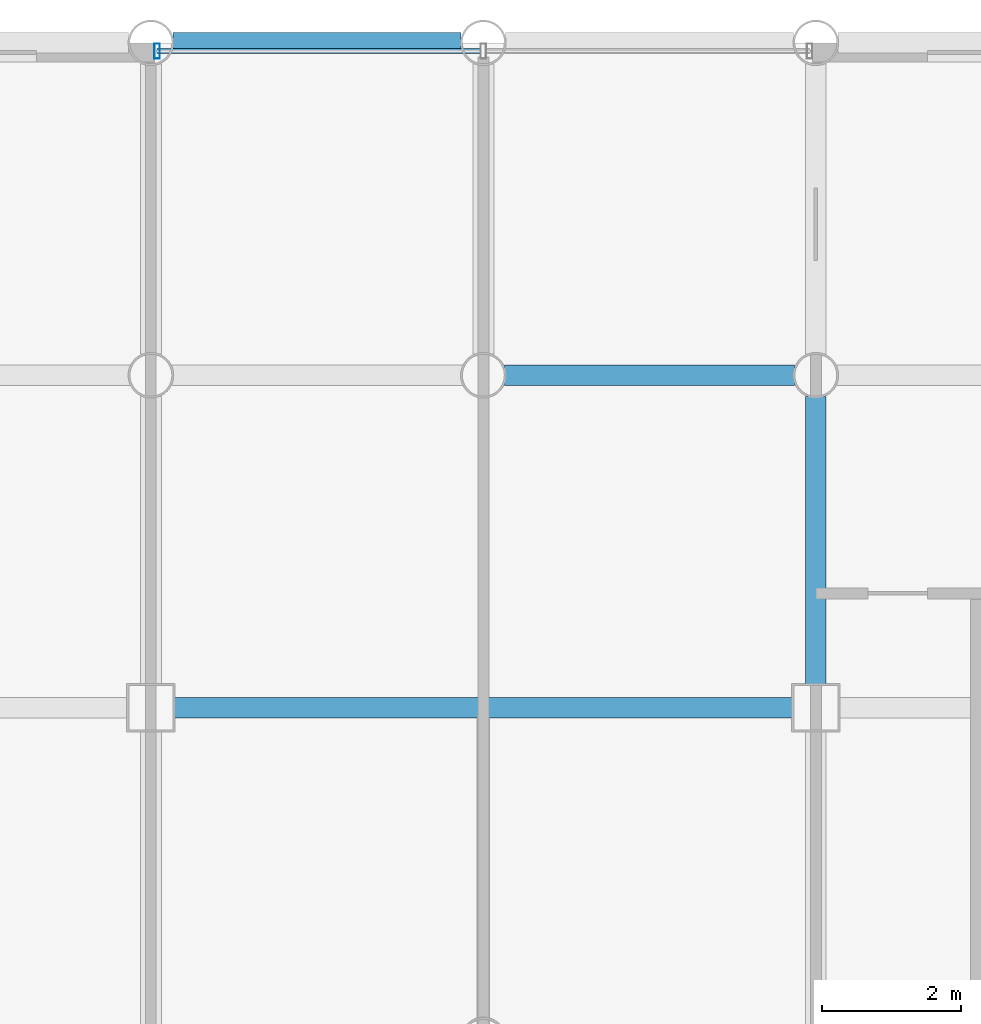
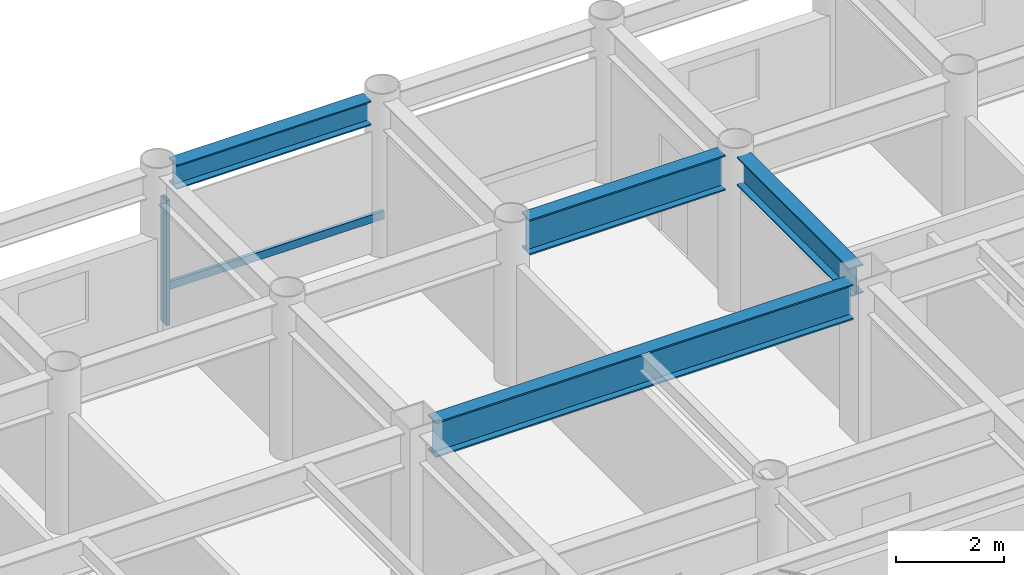
# One storey, part 12 of 20: 4 beams, 2 members, 1 element without a shape of its own.
"""IFC4 building model written with IfcOpenShell, lengths in metres."""

import ifcopenshell
import ifcopenshell.guid

model = None  # the IFC model being written
_history = None  # IfcOwnerHistory: only IFC2X3 demands one
_inside = {}  # id of a spatial element -> (the spatial element, [elements in it])
_under = {}  # id of a project, library or spatial element -> (it, [spatial elements below it])
_declared = {}  # id of a project -> (the project, [libraries it declares])
_typed = {}  # id of a type object -> (the type object, [elements of that type])
_made_of = {}  # id of a material, layer set ... -> (it, [elements and type objects made of it])


def new_model(schema):
    """Start an empty IFC model of exactly this schema.

    Asked for "IFC4X3", IfcOpenShell would pick the latest addendum, in which some entities
    have other attributes; the version numbers below select the first issue.
    IFC2X3 requires an IfcOwnerHistory on every rooted entity: one is made here for all.
    """
    global model, _history
    if schema == "IFC4X3":
        model = ifcopenshell.file(schema_version=(4, 3, 0, 0))
    else:
        model = ifcopenshell.file(schema=schema)
    _inside.clear()
    _under.clear()
    _declared.clear()
    _typed.clear()
    _made_of.clear()
    _history = None
    if model.schema == "IFC2X3":
        org = make("IfcOrganization", Name="unknown")
        user = make(
            "IfcPersonAndOrganization",
            ThePerson=make("IfcPerson", FamilyName="unknown"),
            TheOrganization=org,
        )
        app = make(
            "IfcApplication",
            ApplicationDeveloper=org,
            Version="unknown",
            ApplicationFullName="unknown",
            ApplicationIdentifier="unknown",
        )
        _history = make(
            "IfcOwnerHistory",
            OwningUser=user,
            OwningApplication=app,
            ChangeAction="ADDED",
            CreationDate=0,
        )
    return model


def make(cls, **values):
    """One entity of the class cls with the attributes given. An attribute that is None is left unset."""
    return model.create_entity(
        cls, **{name: value for name, value in values.items() if value is not None}
    )


def rooted(cls, **values):
    """An entity with a GlobalId (a new one), such as an element, a storey or a relation."""
    return make(cls, GlobalId=ifcopenshell.guid.new(), OwnerHistory=_history, **values)


def si_unit(unit_type, name, prefix=None):
    """IfcSIUnit, for example si_unit("LENGTHUNIT", "METRE", prefix="MILLI")."""
    return make("IfcSIUnit", UnitType=unit_type, Prefix=prefix, Name=name)


def assignment(units):
    """IfcUnitAssignment: the units of a project."""
    return None if units is None else make("IfcUnitAssignment", Units=units)


def point(xyz):
    """IfcCartesianPoint."""
    return None if xyz is None else make("IfcCartesianPoint", Coordinates=xyz)


def direction(xyz):
    """IfcDirection."""
    return None if xyz is None else make("IfcDirection", DirectionRatios=xyz)


def frame(location, z_axis=None, x_axis=None):
    """IfcAxis2Placement3D, a coordinate frame: its origin and axes. An axis left out is left unset."""
    return make(
        "IfcAxis2Placement3D",
        Location=point(location),
        Axis=direction(z_axis),
        RefDirection=direction(x_axis),
    )


def frame_2d(location, x_axis=None):
    """IfcAxis2Placement2D, a coordinate frame in the plane: its origin and x axis."""
    return make(
        "IfcAxis2Placement2D", Location=point(location), RefDirection=direction(x_axis)
    )


def origin():
    """The frame at (0, 0, 0) with its axes left unset."""
    return frame((0.0, 0.0, 0.0))


def origin_2d():
    """The frame at (0, 0) in the plane with its x axis left unset."""
    return frame_2d((0.0, 0.0))


def place(relative_to, where):
    """IfcLocalPlacement: puts the frame where relative to a parent placement (None: the world)."""
    return make(
        "IfcLocalPlacement", PlacementRelTo=relative_to, RelativePlacement=where
    )


def context(
    kind, dimensions, precision=None, world=None, true_north=None, identifier=None
):
    """IfcGeometricRepresentationContext, for example the 3D "Model" context."""
    return make(
        "IfcGeometricRepresentationContext",
        ContextIdentifier=identifier,
        ContextType=kind,
        CoordinateSpaceDimension=dimensions,
        Precision=precision,
        WorldCoordinateSystem=world,
        TrueNorth=true_north,
    )


def subcontext(parent, identifier, kind, view, scale=None):
    """IfcGeometricRepresentationSubContext, for example "Body" below "Model"."""
    return make(
        "IfcGeometricRepresentationSubContext",
        ContextIdentifier=identifier,
        ContextType=kind,
        ParentContext=parent,
        TargetScale=scale,
        TargetView=view,
    )


def project(units=None, contexts=None):
    """IfcProject with its units and contexts."""
    return rooted(
        "IfcProject",
        Name="project",
        RepresentationContexts=contexts,
        UnitsInContext=assignment(units),
    )


def spatial(cls, under=None, at=None, **own):
    """A site, building, storey or space (cls), placed at a placement, below another one or the project."""
    s = rooted(cls, ObjectPlacement=at, **own)
    if under is not None:
        _under.setdefault(under.id(), (under, []))[1].append(s)
    return s


def profile(cls, at=None, kind="AREA", **sizes):
    """A parametric profile (cls). Its sizes go by their IFC names, for example OverallWidth=200.0."""
    return make(cls, ProfileType=kind, Position=at, **sizes)


def hollow_rectangle(**sizes):
    """IfcRectangleHollowProfileDef."""
    return profile("IfcRectangleHollowProfileDef", **sizes)


def i_section(**sizes):
    """IfcIShapeProfileDef."""
    return profile("IfcIShapeProfileDef", **sizes)


def extrude(swept, where, along, depth):
    """IfcExtrudedAreaSolid: the profile swept, set in the frame where, extruded along a direction by depth."""
    return make(
        "IfcExtrudedAreaSolid",
        SweptArea=swept,
        Position=where,
        ExtrudedDirection=direction(along),
        Depth=depth,
    )


def shape(context_of_items, identifier, shape_type, items):
    """IfcShapeRepresentation: the items that make up one representation, for example the "Body"."""
    return make(
        "IfcShapeRepresentation",
        ContextOfItems=context_of_items,
        RepresentationIdentifier=identifier,
        RepresentationType=shape_type,
        Items=items,
    )


def material(Name=None, Category=None):
    """IfcMaterial."""
    return make("IfcMaterial", Name=Name, Category=Category)


def layer(
    of_material, thickness, ventilated=None, Name=None, Category=None, Priority=None
):
    """IfcMaterialLayer: one layer of a wall or slab, of a material (None: an air gap)."""
    return make(
        "IfcMaterialLayer",
        Material=of_material,
        LayerThickness=thickness,
        IsVentilated=ventilated,
        Name=Name,
        Category=Category,
        Priority=Priority,
    )


def layer_set(layers, Name=None):
    """IfcMaterialLayerSet."""
    return make("IfcMaterialLayerSet", MaterialLayers=layers, LayerSetName=Name)


def material_profile(
    of_material, cross_section, Name=None, Category=None, Priority=None
):
    """IfcMaterialProfile: a cross section and its material."""
    return make(
        "IfcMaterialProfile",
        Name=Name,
        Material=of_material,
        Profile=cross_section,
        Priority=Priority,
        Category=Category,
    )


def profile_set(profiles, Name=None, composite=None):
    """IfcMaterialProfileSet."""
    return make(
        "IfcMaterialProfileSet",
        Name=Name,
        MaterialProfiles=profiles,
        CompositeProfile=composite,
    )


def made_of(thing, what):
    """Note that an element or type object is made of a material, layer set ...; save() writes the relation."""
    if what is not None:
        _made_of.setdefault(what.id(), (what, []))[1].append(thing)
    return thing


def type_object(cls, material=None, **own):
    """A type object (cls), such as IfcWallType, which elements share."""
    return made_of(rooted(cls, **own), material)


def element(
    cls,
    number,
    at=None,
    inside=None,
    cuts=None,
    type_object=None,
    material=None,
    context=None,
    identifier="Body",
    shape_type=None,
    held_by="IfcProductDefinitionShape",
    body=None,
    shapes=None,
    **own,
):
    """One element of the class cls, such as IfcWall. Its Tag is "e" and its number.

    at: its placement. inside: the storey or other place that contains it. cuts: it is an
    opening in that element (IfcRelVoidsElement). A single representation is given by context,
    identifier, shape_type and body (its items); several are given by shapes. held_by: the class
    of the entity that holds the representations. save() writes the other relations.
    """
    e = rooted(cls, Tag="e%d" % number, ObjectPlacement=at, **own)
    if body is not None:
        shapes = [shape(context, identifier, shape_type, body)]
    if shapes is not None:
        e.Representation = make(held_by, Representations=shapes)
    if inside is not None:
        _inside.setdefault(inside.id(), (inside, []))[1].append(e)
    if cuts is not None:
        rooted(
            "IfcRelVoidsElement", RelatingBuildingElement=cuts, RelatedOpeningElement=e
        )
    if type_object is not None:
        _typed.setdefault(type_object.id(), (type_object, []))[1].append(e)
    return made_of(e, material)


def aggregate(whole, parts):
    """IfcRelAggregates: a whole, such as a stair, and the parts it consists of."""
    return rooted("IfcRelAggregates", RelatingObject=whole, RelatedObjects=parts)


def save(model, path):
    """Write the relations noted so far, then the file.

    IfcRelAggregates (storeys below a building ...), IfcRelContainedInSpatialStructure (elements
    in a storey), IfcRelDefinesByType, IfcRelAssociatesMaterial and IfcRelDeclares: one each for
    every whole, place, type object, material and project.
    """
    for whole, parts in _under.values():
        aggregate(whole, parts)
    for where, things in _inside.values():
        rooted(
            "IfcRelContainedInSpatialStructure",
            RelatedElements=things,
            RelatingStructure=where,
        )
    for kind, things in _typed.values():
        rooted("IfcRelDefinesByType", RelatedObjects=things, RelatingType=kind)
    for what, things in _made_of.values():
        rooted("IfcRelAssociatesMaterial", RelatedObjects=things, RelatingMaterial=what)
    for by, libraries in _declared.values():
        rooted("IfcRelDeclares", RelatingContext=by, RelatedDefinitions=libraries)
    model.write(path)


model = new_model("IFC4")

# Units and contexts
model_context = context("Model", 3, precision=1e-05, world=origin(), true_north=direction((0.0, 1.0)))
body_context = subcontext(model_context, "Body", "Model", "MODEL_VIEW")
ifc_project = project(units=[si_unit("LENGTHUNIT", "METRE"), si_unit("AREAUNIT", "SQUARE_METRE"), si_unit("VOLUMEUNIT", "CUBIC_METRE"), si_unit("PLANEANGLEUNIT", "RADIAN"), si_unit("MASSUNIT", "GRAM", prefix="KILO")], contexts=[model_context])

# Site, building, storey
site_placement = place(None, origin())
site = spatial("IfcSite", under=ifc_project, at=site_placement, CompositionType="ELEMENT")
building_placement = place(site_placement, origin())
building = spatial("IfcBuilding", under=site, at=building_placement, Name="Kallvorn Hotel Tower", CompositionType="ELEMENT")
storey_placement = place(building_placement, frame((0.0, 0.0, 143.300048828125)))
storey = spatial("IfcBuildingStorey", under=building, at=storey_placement, Name="L35", CompositionType="ELEMENT", Elevation=143.300048828125)

# Beams
ifc_material_1 = material(Name="Structural steel S355JR", Category="steel")
ifc_material_profile_1 = material_profile(ifc_material_1, i_section(OverallWidth=0.300048828125, OverallDepth=0.550048828125, WebThickness=0.014892578125, FlangeThickness=0.029052734375, at=origin_2d()), Name="HE 550 B")
ifc_profile_set_1 = profile_set([ifc_material_profile_1], Name="Structural steel S355JR")
beam_type_1 = type_object("IfcBeamType", Name="BM_HE550B", PredefinedType="SPANDREL", material=ifc_profile_set_1)
beam_1_placement = place(storey_placement, frame((-4.47998046875, 24.0, 3.244873046875), z_axis=(1.0, 0.0, 0.0), x_axis=(0.0, 1.0, 0.0)))
element("IfcBeam", 1, at=beam_1_placement, inside=storey, type_object=beam_type_1, Name="L36 Perimeter Spandrel 168", PredefinedType="SPANDREL", context=body_context, shape_type="SweptSolid", body=[
    extrude(i_section(OverallWidth=0.300048828125, OverallDepth=0.550048828125, WebThickness=0.014892578125, FlangeThickness=0.029052734375, at=origin_2d()), origin(), (0.0, 0.0, 1.0), 4.159912109375),
])
ifc_material_2 = material(Name="Structural steel S355JR", Category="steel")
ifc_material_profile_2 = material_profile(ifc_material_2, i_section(OverallWidth=0.300048828125, OverallDepth=0.64990234375, WebThickness=0.01611328125, FlangeThickness=0.031005859375, at=origin_2d()), Name="HE 650 B")
ifc_profile_set_2 = profile_set([ifc_material_profile_2], Name="Structural steel S355JR")
beam_type_2 = type_object("IfcBeamType", Name="BM_HE650B", PredefinedType="BEAM", material=ifc_profile_set_2)
beam_2_placement = place(storey_placement, frame((4.800048828125, 14.72509765625, 3.195068359375), z_axis=(0.0, 1.0, 0.0), x_axis=(-1.0, 0.0, 0.0)))
element("IfcBeam", 2, at=beam_2_placement, inside=storey, type_object=beam_type_2, Name="L36 Primary Y-Girder 117", PredefinedType="BEAM", context=body_context, shape_type="SweptSolid", body=[
    extrude(i_section(OverallWidth=0.300048828125, OverallDepth=0.64990234375, WebThickness=0.01611328125, FlangeThickness=0.031005859375, at=origin_2d()), origin(), (0.0, 0.0, 1.0), 4.169921875),
])
ifc_material_3 = material(Name="Structural steel S355JR", Category="steel")
ifc_material_profile_3 = material_profile(ifc_material_3, i_section(OverallWidth=0.300048828125, OverallDepth=0.800048828125, WebThickness=0.017578125, FlangeThickness=0.032958984375, at=origin_2d()), Name="HE 800 B")
ifc_profile_set_3 = profile_set([ifc_material_profile_3], Name="Structural steel S355JR")
beam_type_3 = type_object("IfcBeamType", Name="BM_HE800B", PredefinedType="BEAM", material=ifc_profile_set_3)
beam_3_placement = place(storey_placement, frame((-4.47509765625, 14.39990234375, 3.119873046875), z_axis=(1.0, 0.0, 0.0), x_axis=(0.0, 1.0, 0.0)))
element("IfcBeam", 3, at=beam_3_placement, inside=storey, type_object=beam_type_3, Name="L36 Primary X-Girder 55", PredefinedType="BEAM", context=body_context, shape_type="SweptSolid", body=[
    extrude(i_section(OverallWidth=0.300048828125, OverallDepth=0.800048828125, WebThickness=0.017578125, FlangeThickness=0.032958984375, at=origin_2d()), origin(), (0.0, 0.0, 1.0), 8.9501953125),
])
beam_4_placement = place(storey_placement, frame((0.304931640625, 19.199951171875, 3.119873046875), z_axis=(1.0, 0.0, 0.0), x_axis=(0.0, 1.0, 0.0)))
element("IfcBeam", 4, at=beam_4_placement, inside=storey, type_object=beam_type_3, Name="L36 Primary X-Girder 67", PredefinedType="BEAM", context=body_context, shape_type="SweptSolid", body=[
    extrude(i_section(OverallWidth=0.300048828125, OverallDepth=0.800048828125, WebThickness=0.017578125, FlangeThickness=0.032958984375, at=origin_2d()), origin(), (0.0, 0.0, 1.0), 4.190185546875),
])

# Curtain wall, members
ifc_material_4 = material(Name="Thermally broken black-anodised aluminium AA 6063-T6", Category="aluminium")
ifc_layer = layer(ifc_material_4, 0.2099609375)
ifc_layer_set = layer_set([ifc_layer], Name="CW_SYS_4_HOTEL_MID")
curtain_wall_type = type_object("IfcCurtainWallType", Name="CW_SYS_4_HOTEL_MID", PredefinedType="USERDEFINED", material=ifc_layer_set)
curtain_wall_placement = place(storey_placement, origin())
curtain_wall = element("IfcCurtainWall", 5, at=curtain_wall_placement, inside=storey, type_object=curtain_wall_type, Name="L35 Dark-Glass Curtain Wall CW-L35-NC", ObjectType="UNITISED CURTAIN WALL", PredefinedType="USERDEFINED")
ifc_material_5 = material(Name="Thermally broken black-anodised aluminium AA 6063-T6", Category="aluminium")
ifc_material_profile_4 = material_profile(ifc_material_5, hollow_rectangle(XDim=0.080078125, YDim=0.219970703125, WallThickness=0.0048828125, at=origin_2d()), Name="MUL 220x80")
ifc_profile_set_4 = profile_set([ifc_material_profile_4], Name="Thermally broken black-anodised aluminium AA 6063-T6")
member_type_1 = type_object("IfcMemberType", Name="CW_MULLION_220x80", PredefinedType="MULLION", material=ifc_profile_set_4)
member_1_placement = place(storey_placement, frame((-4.7099609375, 23.8798828125, 0.02001953125), z_axis=(0.0, 0.0, 1.0), x_axis=(1.0, 0.0, 0.0)))
member_1 = element("IfcMember", 6, at=member_1_placement, type_object=member_type_1, Name="CW-L35-NC Mullion 00", PredefinedType="MULLION", context=body_context, shape_type="SweptSolid", body=[
    extrude(hollow_rectangle(XDim=0.080078125, YDim=0.219970703125, WallThickness=0.0048828125, at=origin_2d()), origin(), (0.0, 0.0, 1.0), 2.829833984375),
])
ifc_material_6 = material(Name="Thermally broken black-anodised aluminium AA 6063-T6", Category="aluminium")
ifc_material_profile_5 = material_profile(ifc_material_6, hollow_rectangle(XDim=0.070068359375, YDim=0.179931640625, WallThickness=0.00390625, at=origin_2d()), Name="TRN 180x70")
ifc_profile_set_5 = profile_set([ifc_material_profile_5], Name="Thermally broken black-anodised aluminium AA 6063-T6")
member_type_2 = type_object("IfcMemberType", Name="CW_TRANSOM_180x70", PredefinedType="USERDEFINED", material=ifc_profile_set_5)
member_2_placement = place(storey_placement, frame((-4.7099609375, 23.8798828125, 0.849853515625), z_axis=(1.0, 0.0, 0.0), x_axis=(0.0, 1.0, 0.0)))
member_2 = element("IfcMember", 7, at=member_2_placement, type_object=member_type_2, Name="CW-L35-NC Transom 00M", ObjectType="TRANSOM", PredefinedType="USERDEFINED", context=body_context, shape_type="SweptSolid", body=[
    extrude(hollow_rectangle(XDim=0.070068359375, YDim=0.179931640625, WallThickness=0.00390625, at=origin_2d()), origin(), (0.0, 0.0, 1.0), 4.669921875),
])
aggregate(curtain_wall, [member_1, member_2])

save(model, "model.ifc")
